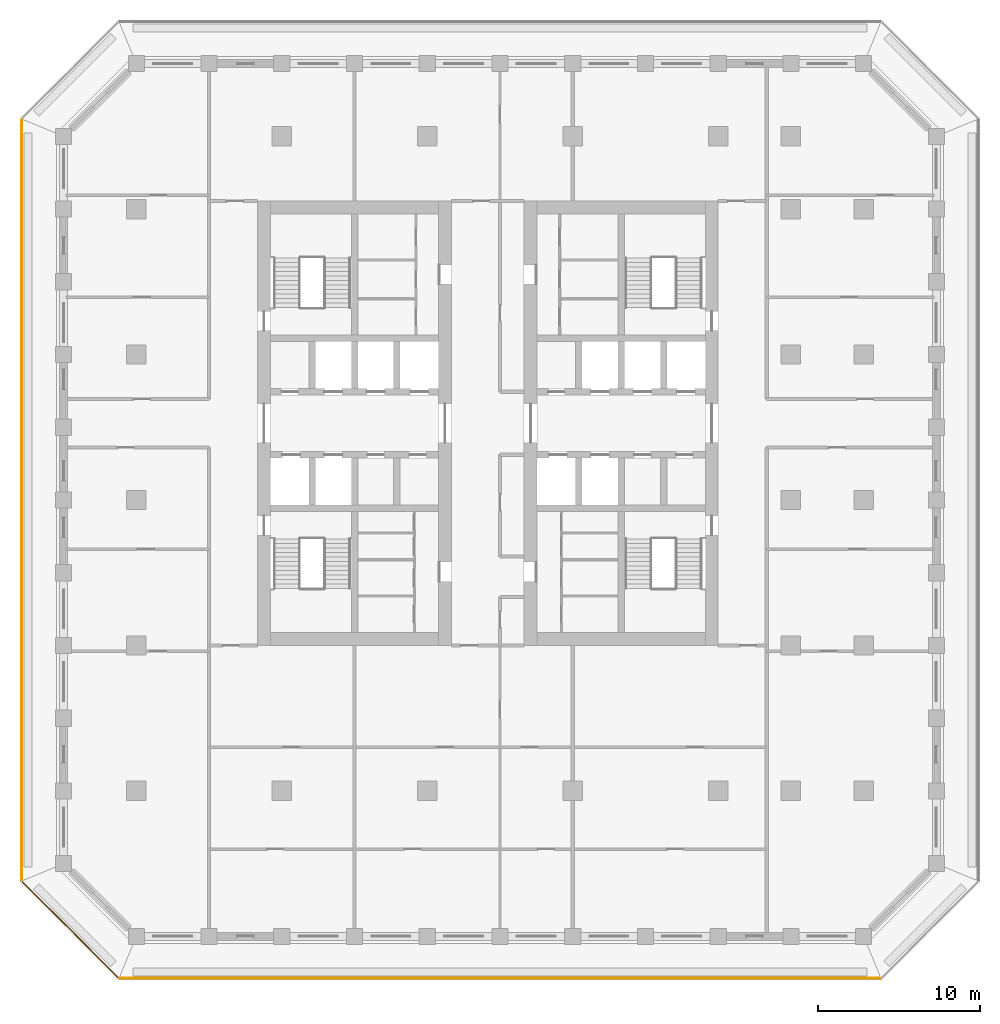
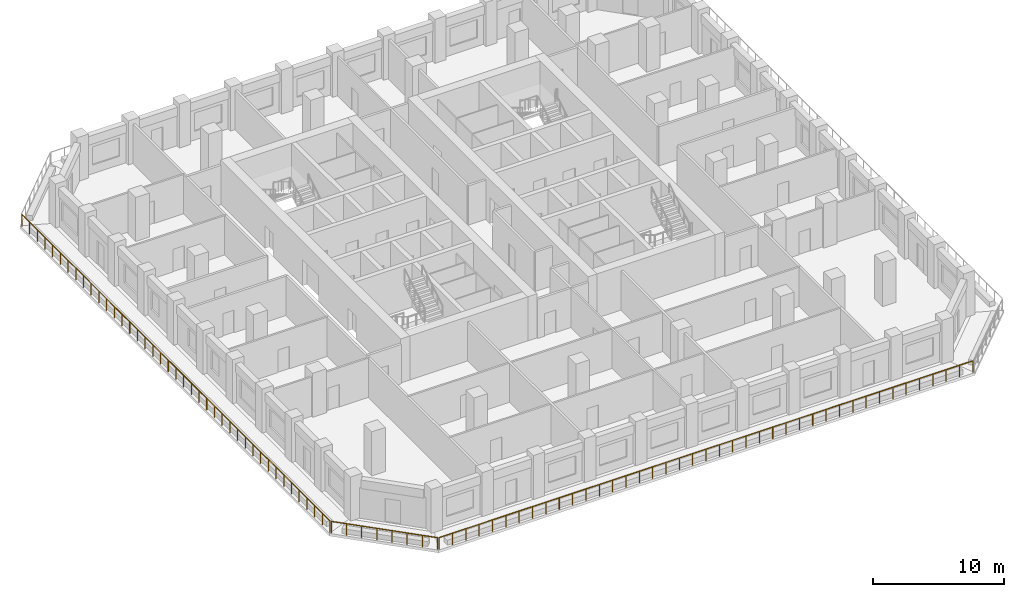
# One storey, part 9 of 16: 3 railings.
"""IFC4 building model written with IfcOpenShell, lengths in metres."""

from ifc_helpers import new_model, si_unit, direction, frame, origin, origin_2d, place, context, subcontext, project, spatial, circle, extrude, material, type_object, element, save


model = new_model("IFC4")

# Units and contexts
model_context = context("Model", 3, precision=1e-05, world=origin(), true_north=direction((0.0, 1.0)))
body_context = subcontext(model_context, "Body", "Model", "MODEL_VIEW")
ifc_project = project(units=[si_unit("LENGTHUNIT", "METRE"), si_unit("AREAUNIT", "SQUARE_METRE"), si_unit("VOLUMEUNIT", "CUBIC_METRE"), si_unit("PLANEANGLEUNIT", "RADIAN"), si_unit("MASSUNIT", "GRAM", prefix="KILO")], contexts=[model_context])

# Site, building, storey
site_placement = place(None, origin())
site = spatial("IfcSite", under=ifc_project, at=site_placement, CompositionType="ELEMENT")
building_placement = place(site_placement, origin())
building = spatial("IfcBuilding", under=site, at=building_placement, Name="Corbel Stack Research Tower", CompositionType="ELEMENT")
storey_placement = place(building_placement, frame((0.0, 0.0, 203.800048828125)))
storey = spatial("IfcBuildingStorey", under=building, at=storey_placement, Name="L46", CompositionType="ELEMENT", Elevation=203.800048828125)

# Railings
ifc_material = material(Name="Powder-coated steel guard", Category="steel")
railing_type = type_object("IfcRailingType", Name="Steel and glass guard 1100", PredefinedType="GUARDRAIL", material=ifc_material)
railing_1_placement = place(storey_placement, frame((-19.00537109375, -29.60009765625, 0.0)))
element("IfcRailing", 1, at=railing_1_placement, inside=storey, type_object=railing_type, Name="Loggia guard L46 S", PredefinedType="GUARDRAIL", context=body_context, shape_type="SweptSolid", body=[
    extrude(circle(Radius=0.02392578125, at=origin_2d()), frame((0.0, 0.0, 1.076171875), z_axis=(1.0, 0.0, 0.0), x_axis=(0.0, 1.0, 0.0)), (0.0, 0.0, 1.0), 47.0107421875),
    extrude(circle(Radius=0.02099609375, at=origin_2d()), origin(), (0.0, 0.0, 1.0), 1.052001953125),
    extrude(circle(Radius=0.02099609375, at=origin_2d()), frame((1.17529296875, 0.0, 0.0)), (0.0, 0.0, 1.0), 1.052001953125),
    extrude(circle(Radius=0.02099609375, at=origin_2d()), frame((2.3505859375, 0.0, 0.0)), (0.0, 0.0, 1.0), 1.052001953125),
    extrude(circle(Radius=0.02099609375, at=origin_2d()), frame((3.52587890625, 0.0, 0.0)), (0.0, 0.0, 1.0), 1.052001953125),
    extrude(circle(Radius=0.02099609375, at=origin_2d()), frame((4.701171875, 0.0, 0.0)), (0.0, 0.0, 1.0), 1.052001953125),
    extrude(circle(Radius=0.02099609375, at=origin_2d()), frame((5.87646484375, 0.0, 0.0)), (0.0, 0.0, 1.0), 1.052001953125),
    extrude(circle(Radius=0.02099609375, at=origin_2d()), frame((7.051513671875, 0.0, 0.0)), (0.0, 0.0, 1.0), 1.052001953125),
    extrude(circle(Radius=0.02099609375, at=origin_2d()), frame((8.226806640625, 0.0, 0.0)), (0.0, 0.0, 1.0), 1.052001953125),
    extrude(circle(Radius=0.02099609375, at=origin_2d()), frame((9.402099609375, 0.0, 0.0)), (0.0, 0.0, 1.0), 1.052001953125),
    extrude(circle(Radius=0.02099609375, at=origin_2d()), frame((10.577392578125, 0.0, 0.0)), (0.0, 0.0, 1.0), 1.052001953125),
    extrude(circle(Radius=0.02099609375, at=origin_2d()), frame((11.752685546875, 0.0, 0.0)), (0.0, 0.0, 1.0), 1.052001953125),
    extrude(circle(Radius=0.02099609375, at=origin_2d()), frame((12.927978515625, 0.0, 0.0)), (0.0, 0.0, 1.0), 1.052001953125),
    extrude(circle(Radius=0.02099609375, at=origin_2d()), frame((14.103271484375, 0.0, 0.0)), (0.0, 0.0, 1.0), 1.052001953125),
    extrude(circle(Radius=0.02099609375, at=origin_2d()), frame((15.278564453125, 0.0, 0.0)), (0.0, 0.0, 1.0), 1.052001953125),
    extrude(circle(Radius=0.02099609375, at=origin_2d()), frame((16.453857421875, 0.0, 0.0)), (0.0, 0.0, 1.0), 1.052001953125),
    extrude(circle(Radius=0.02099609375, at=origin_2d()), frame((17.62890625, 0.0, 0.0)), (0.0, 0.0, 1.0), 1.052001953125),
    extrude(circle(Radius=0.02099609375, at=origin_2d()), frame((18.80419921875, 0.0, 0.0)), (0.0, 0.0, 1.0), 1.052001953125),
    extrude(circle(Radius=0.02099609375, at=origin_2d()), frame((19.9794921875, 0.0, 0.0)), (0.0, 0.0, 1.0), 1.052001953125),
    extrude(circle(Radius=0.02099609375, at=origin_2d()), frame((21.15478515625, 0.0, 0.0)), (0.0, 0.0, 1.0), 1.052001953125),
    extrude(circle(Radius=0.02099609375, at=origin_2d()), frame((22.330078125, 0.0, 0.0)), (0.0, 0.0, 1.0), 1.052001953125),
    extrude(circle(Radius=0.02099609375, at=origin_2d()), frame((23.50537109375, 0.0, 0.0)), (0.0, 0.0, 1.0), 1.052001953125),
    extrude(circle(Radius=0.02099609375, at=origin_2d()), frame((24.6806640625, 0.0, 0.0)), (0.0, 0.0, 1.0), 1.052001953125),
    extrude(circle(Radius=0.02099609375, at=origin_2d()), frame((25.85595703125, 0.0, 0.0)), (0.0, 0.0, 1.0), 1.052001953125),
    extrude(circle(Radius=0.02099609375, at=origin_2d()), frame((27.03125, 0.0, 0.0)), (0.0, 0.0, 1.0), 1.052001953125),
    extrude(circle(Radius=0.02099609375, at=origin_2d()), frame((28.20654296875, 0.0, 0.0)), (0.0, 0.0, 1.0), 1.052001953125),
    extrude(circle(Radius=0.02099609375, at=origin_2d()), frame((29.3818359375, 0.0, 0.0)), (0.0, 0.0, 1.0), 1.052001953125),
    extrude(circle(Radius=0.02099609375, at=origin_2d()), frame((30.556884765625, 0.0, 0.0)), (0.0, 0.0, 1.0), 1.052001953125),
    extrude(circle(Radius=0.02099609375, at=origin_2d()), frame((31.732177734375, 0.0, 0.0)), (0.0, 0.0, 1.0), 1.052001953125),
    extrude(circle(Radius=0.02099609375, at=origin_2d()), frame((32.907470703125, 0.0, 0.0)), (0.0, 0.0, 1.0), 1.052001953125),
    extrude(circle(Radius=0.02099609375, at=origin_2d()), frame((34.082763671875, 0.0, 0.0)), (0.0, 0.0, 1.0), 1.052001953125),
    extrude(circle(Radius=0.02099609375, at=origin_2d()), frame((35.258056640625, 0.0, 0.0)), (0.0, 0.0, 1.0), 1.052001953125),
    extrude(circle(Radius=0.02099609375, at=origin_2d()), frame((36.433349609375, 0.0, 0.0)), (0.0, 0.0, 1.0), 1.052001953125),
    extrude(circle(Radius=0.02099609375, at=origin_2d()), frame((37.608642578125, 0.0, 0.0)), (0.0, 0.0, 1.0), 1.052001953125),
    extrude(circle(Radius=0.02099609375, at=origin_2d()), frame((38.783935546875, 0.0, 0.0)), (0.0, 0.0, 1.0), 1.052001953125),
    extrude(circle(Radius=0.02099609375, at=origin_2d()), frame((39.959228515625, 0.0, 0.0)), (0.0, 0.0, 1.0), 1.052001953125),
    extrude(circle(Radius=0.02099609375, at=origin_2d()), frame((41.13427734375, 0.0, 0.0)), (0.0, 0.0, 1.0), 1.052001953125),
    extrude(circle(Radius=0.02099609375, at=origin_2d()), frame((42.3095703125, 0.0, 0.0)), (0.0, 0.0, 1.0), 1.052001953125),
    extrude(circle(Radius=0.02099609375, at=origin_2d()), frame((43.48486328125, 0.0, 0.0)), (0.0, 0.0, 1.0), 1.052001953125),
    extrude(circle(Radius=0.02099609375, at=origin_2d()), frame((44.66015625, 0.0, 0.0)), (0.0, 0.0, 1.0), 1.052001953125),
    extrude(circle(Radius=0.02099609375, at=origin_2d()), frame((45.83544921875, 0.0, 0.0)), (0.0, 0.0, 1.0), 1.052001953125),
    extrude(circle(Radius=0.02099609375, at=origin_2d()), frame((47.0107421875, 0.0, 0.0)), (0.0, 0.0, 1.0), 1.052001953125),
])
railing_2_placement = place(storey_placement, frame((-25.10009765625, 23.50537109375, 0.0)))
element("IfcRailing", 2, at=railing_2_placement, inside=storey, type_object=railing_type, Name="Loggia guard L46 W", PredefinedType="GUARDRAIL", context=body_context, shape_type="SweptSolid", body=[
    extrude(circle(Radius=0.02392578125, at=origin_2d()), frame((0.0, 0.0, 1.076171875), z_axis=(0.0, -1.0, 0.0), x_axis=(1.0, 0.0, 0.0)), (0.0, 0.0, 1.0), 47.0107421875),
    extrude(circle(Radius=0.02099609375, at=origin_2d()), origin(), (0.0, 0.0, 1.0), 1.052001953125),
    extrude(circle(Radius=0.02099609375, at=origin_2d()), frame((0.0, -1.17529296875, 0.0)), (0.0, 0.0, 1.0), 1.052001953125),
    extrude(circle(Radius=0.02099609375, at=origin_2d()), frame((0.0, -2.3505859375, 0.0)), (0.0, 0.0, 1.0), 1.052001953125),
    extrude(circle(Radius=0.02099609375, at=origin_2d()), frame((0.0, -3.52587890625, 0.0)), (0.0, 0.0, 1.0), 1.052001953125),
    extrude(circle(Radius=0.02099609375, at=origin_2d()), frame((0.0, -4.701171875, 0.0)), (0.0, 0.0, 1.0), 1.052001953125),
    extrude(circle(Radius=0.02099609375, at=origin_2d()), frame((0.0, -5.87646484375, 0.0)), (0.0, 0.0, 1.0), 1.052001953125),
    extrude(circle(Radius=0.02099609375, at=origin_2d()), frame((0.0, -7.051513671875, 0.0)), (0.0, 0.0, 1.0), 1.052001953125),
    extrude(circle(Radius=0.02099609375, at=origin_2d()), frame((0.0, -8.226806640625, 0.0)), (0.0, 0.0, 1.0), 1.052001953125),
    extrude(circle(Radius=0.02099609375, at=origin_2d()), frame((0.0, -9.402099609375, 0.0)), (0.0, 0.0, 1.0), 1.052001953125),
    extrude(circle(Radius=0.02099609375, at=origin_2d()), frame((0.0, -10.577392578125, 0.0)), (0.0, 0.0, 1.0), 1.052001953125),
    extrude(circle(Radius=0.02099609375, at=origin_2d()), frame((0.0, -11.752685546875, 0.0)), (0.0, 0.0, 1.0), 1.052001953125),
    extrude(circle(Radius=0.02099609375, at=origin_2d()), frame((0.0, -12.927978515625, 0.0)), (0.0, 0.0, 1.0), 1.052001953125),
    extrude(circle(Radius=0.02099609375, at=origin_2d()), frame((0.0, -14.103271484375, 0.0)), (0.0, 0.0, 1.0), 1.052001953125),
    extrude(circle(Radius=0.02099609375, at=origin_2d()), frame((0.0, -15.278564453125, 0.0)), (0.0, 0.0, 1.0), 1.052001953125),
    extrude(circle(Radius=0.02099609375, at=origin_2d()), frame((0.0, -16.453857421875, 0.0)), (0.0, 0.0, 1.0), 1.052001953125),
    extrude(circle(Radius=0.02099609375, at=origin_2d()), frame((0.0, -17.62890625, 0.0)), (0.0, 0.0, 1.0), 1.052001953125),
    extrude(circle(Radius=0.02099609375, at=origin_2d()), frame((0.0, -18.80419921875, 0.0)), (0.0, 0.0, 1.0), 1.052001953125),
    extrude(circle(Radius=0.02099609375, at=origin_2d()), frame((0.0, -19.9794921875, 0.0)), (0.0, 0.0, 1.0), 1.052001953125),
    extrude(circle(Radius=0.02099609375, at=origin_2d()), frame((0.0, -21.15478515625, 0.0)), (0.0, 0.0, 1.0), 1.052001953125),
    extrude(circle(Radius=0.02099609375, at=origin_2d()), frame((0.0, -22.330078125, 0.0)), (0.0, 0.0, 1.0), 1.052001953125),
    extrude(circle(Radius=0.02099609375, at=origin_2d()), frame((0.0, -23.50537109375, 0.0)), (0.0, 0.0, 1.0), 1.052001953125),
    extrude(circle(Radius=0.02099609375, at=origin_2d()), frame((0.0, -24.6806640625, 0.0)), (0.0, 0.0, 1.0), 1.052001953125),
    extrude(circle(Radius=0.02099609375, at=origin_2d()), frame((0.0, -25.85595703125, 0.0)), (0.0, 0.0, 1.0), 1.052001953125),
    extrude(circle(Radius=0.02099609375, at=origin_2d()), frame((0.0, -27.03125, 0.0)), (0.0, 0.0, 1.0), 1.052001953125),
    extrude(circle(Radius=0.02099609375, at=origin_2d()), frame((0.0, -28.20654296875, 0.0)), (0.0, 0.0, 1.0), 1.052001953125),
    extrude(circle(Radius=0.02099609375, at=origin_2d()), frame((0.0, -29.3818359375, 0.0)), (0.0, 0.0, 1.0), 1.052001953125),
    extrude(circle(Radius=0.02099609375, at=origin_2d()), frame((0.0, -30.556884765625, 0.0)), (0.0, 0.0, 1.0), 1.052001953125),
    extrude(circle(Radius=0.02099609375, at=origin_2d()), frame((0.0, -31.732177734375, 0.0)), (0.0, 0.0, 1.0), 1.052001953125),
    extrude(circle(Radius=0.02099609375, at=origin_2d()), frame((0.0, -32.907470703125, 0.0)), (0.0, 0.0, 1.0), 1.052001953125),
    extrude(circle(Radius=0.02099609375, at=origin_2d()), frame((0.0, -34.082763671875, 0.0)), (0.0, 0.0, 1.0), 1.052001953125),
    extrude(circle(Radius=0.02099609375, at=origin_2d()), frame((0.0, -35.258056640625, 0.0)), (0.0, 0.0, 1.0), 1.052001953125),
    extrude(circle(Radius=0.02099609375, at=origin_2d()), frame((0.0, -36.433349609375, 0.0)), (0.0, 0.0, 1.0), 1.052001953125),
    extrude(circle(Radius=0.02099609375, at=origin_2d()), frame((0.0, -37.608642578125, 0.0)), (0.0, 0.0, 1.0), 1.052001953125),
    extrude(circle(Radius=0.02099609375, at=origin_2d()), frame((0.0, -38.783935546875, 0.0)), (0.0, 0.0, 1.0), 1.052001953125),
    extrude(circle(Radius=0.02099609375, at=origin_2d()), frame((0.0, -39.959228515625, 0.0)), (0.0, 0.0, 1.0), 1.052001953125),
    extrude(circle(Radius=0.02099609375, at=origin_2d()), frame((0.0, -41.13427734375, 0.0)), (0.0, 0.0, 1.0), 1.052001953125),
    extrude(circle(Radius=0.02099609375, at=origin_2d()), frame((0.0, -42.3095703125, 0.0)), (0.0, 0.0, 1.0), 1.052001953125),
    extrude(circle(Radius=0.02099609375, at=origin_2d()), frame((0.0, -43.48486328125, 0.0)), (0.0, 0.0, 1.0), 1.052001953125),
    extrude(circle(Radius=0.02099609375, at=origin_2d()), frame((0.0, -44.66015625, 0.0)), (0.0, 0.0, 1.0), 1.052001953125),
    extrude(circle(Radius=0.02099609375, at=origin_2d()), frame((0.0, -45.83544921875, 0.0)), (0.0, 0.0, 1.0), 1.052001953125),
    extrude(circle(Radius=0.02099609375, at=origin_2d()), frame((0.0, -47.0107421875, 0.0)), (0.0, 0.0, 1.0), 1.052001953125),
])
railing_3_placement = place(storey_placement, frame((-25.04931640625, -23.627685546875, 0.0)))
element("IfcRailing", 3, at=railing_3_placement, inside=storey, type_object=railing_type, Name="Loggia guard L46 SW", PredefinedType="GUARDRAIL", context=body_context, shape_type="SweptSolid", body=[
    extrude(circle(Radius=0.02392578125, at=origin_2d()), frame((0.0, 0.0, 1.076171875), z_axis=(0.707106781187, -0.707106781187, 0.0), x_axis=(0.707106781187, 0.707106781187, 0.0)), (0.0, 0.0, 1.0), 8.37451171875),
    extrude(circle(Radius=0.02099609375, at=origin_2d()), origin(), (0.0, 0.0, 1.0), 1.052001953125),
    extrude(circle(Radius=0.02099609375, at=origin_2d()), frame((0.845947265625, -0.845947265625, 0.0)), (0.0, 0.0, 1.0), 1.052001953125),
    extrude(circle(Radius=0.02099609375, at=origin_2d()), frame((1.69189453125, -1.69189453125, 0.0)), (0.0, 0.0, 1.0), 1.052001953125),
    extrude(circle(Radius=0.02099609375, at=origin_2d()), frame((2.537841796875, -2.537841796875, 0.0)), (0.0, 0.0, 1.0), 1.052001953125),
    extrude(circle(Radius=0.02099609375, at=origin_2d()), frame((3.3837890625, -3.3837890625, 0.0)), (0.0, 0.0, 1.0), 1.052001953125),
    extrude(circle(Radius=0.02099609375, at=origin_2d()), frame((4.229736328125, -4.229736328125, 0.0)), (0.0, 0.0, 1.0), 1.052001953125),
    extrude(circle(Radius=0.02099609375, at=origin_2d()), frame((5.07568359375, -5.07568359375, 0.0)), (0.0, 0.0, 1.0), 1.052001953125),
    extrude(circle(Radius=0.02099609375, at=origin_2d()), frame((5.921630859375, -5.921630859375, 0.0)), (0.0, 0.0, 1.0), 1.052001953125),
])

save(model, "model.ifc")
